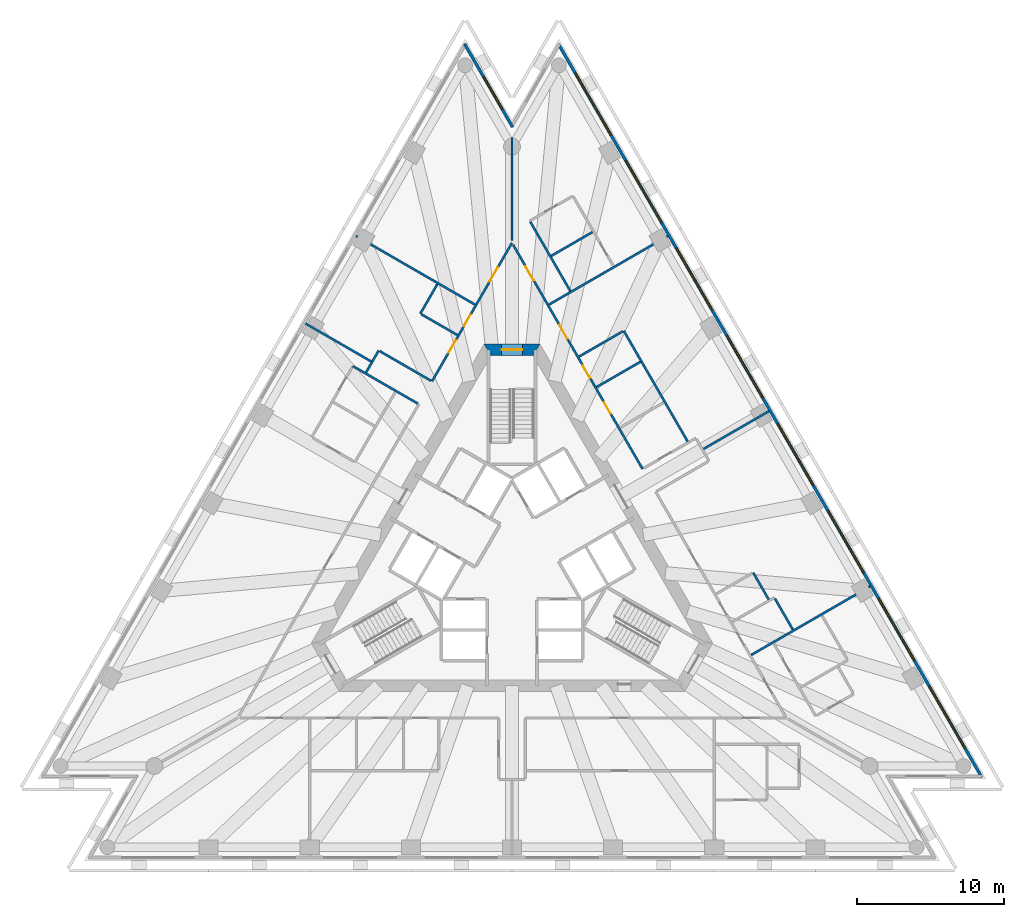
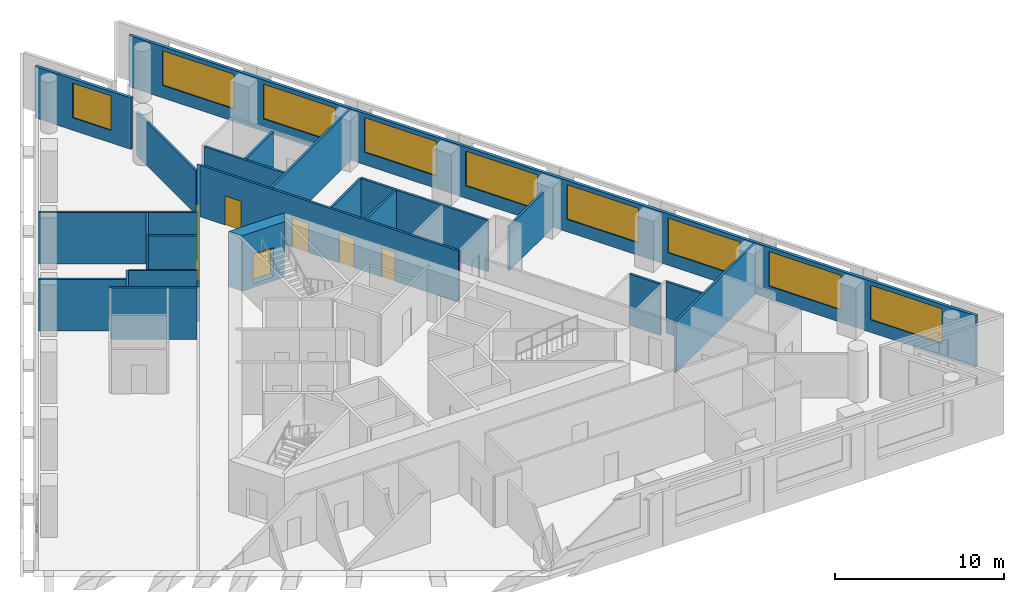
# One storey, part 6 of 10: 23 walls, 9 windows, 8 doors, 17 openings.
"""IFC4 building model written with IfcOpenShell, lengths in metres."""

from ifc_helpers import new_model, si_unit, direction, frame, frame_2d, origin, place, context, subcontext, project, spatial, polyline, rectangle, outline, extrude, material, layer, layer_set, layer_usage, type_object, element, fill, save


model = new_model("IFC4")

# Units and contexts
model_context = context("Model", 3, precision=1e-05, world=origin(), true_north=direction((0.0, 1.0)))
body_context = subcontext(model_context, "Body", "Model", "MODEL_VIEW")
ifc_project = project(units=[si_unit("LENGTHUNIT", "METRE"), si_unit("AREAUNIT", "SQUARE_METRE"), si_unit("VOLUMEUNIT", "CUBIC_METRE"), si_unit("PLANEANGLEUNIT", "RADIAN"), si_unit("MASSUNIT", "GRAM", prefix="KILO")], contexts=[model_context])

# Site, building, storey
site_placement = place(None, origin())
site = spatial("IfcSite", under=ifc_project, at=site_placement, CompositionType="ELEMENT")
building_placement = place(site_placement, origin())
building = spatial("IfcBuilding", under=site, at=building_placement, Name="Triada Interchange Tower", CompositionType="ELEMENT")
storey_placement = place(building_placement, frame((0.0, 0.0, 120.300048828125)))
storey = spatial("IfcBuildingStorey", under=building, at=storey_placement, Name="L27", CompositionType="ELEMENT", Elevation=120.300048828125)

# Wall, opening, door
ifc_material_1 = material(Name="Concrete C60/75", Category="concrete")
ifc_layer_1 = layer(ifc_material_1, 0.800048828125)
ifc_layer_set_1 = layer_set([ifc_layer_1], Name="Core wall B 800")
wall_type_1 = type_object("IfcWallType", Name="Core wall B 800", PredefinedType="SHEAR", material=ifc_layer_set_1)
wall_1_placement = place(storey_placement, frame((1.674072265625, 14.300048828125, -0.300048828125), z_axis=(0.0, 0.0, 1.0), x_axis=(-1.0, 0.0, 0.0)))
wall_1 = element("IfcWall", 1, at=wall_1_placement, inside=storey, type_object=wall_type_1, Name="Core wall WB01 L27", PredefinedType="SHEAR", context=body_context, shape_type="SweptSolid", body=[
    extrude(outline(polyline([(-0.23095703125, -0.39990234375), (1.674072265625, -0.39990234375), (3.5791015625, -0.39990234375), (3.116943359375, 0.39990234375), (1.673828125, 0.39990234375), (0.23095703125, 0.39990234375), (-0.23095703125, -0.39990234375)])), origin(), (0.0, 0.0, 1.0), 4.0),
])
opening_1_placement = place(wall_1_placement, frame((0.97412109375, 0.0, 0.300048828125)))
opening_1 = element("IfcOpeningElement", 2, at=opening_1_placement, cuts=wall_1, Name="Opening D26-41", PredefinedType="OPENING", context=body_context, shape_type="SweptSolid", body=[
    extrude(rectangle(XDim=1.39990234375, YDim=2.10009765625, at=frame_2d((0.699951171875, 1.050048828125))), frame((0.0, 0.409912109375, 0.0), z_axis=(0.0, -1.0, 0.0), x_axis=(1.0, 0.0, 0.0)), (0.0, 0.0, 1.0), 0.820068359375),
])
ifc_material_2 = material(Name="Steel S235 door leaf", Category="steel")
door_type_1 = type_object("IfcDoorType", Name="STAIR DOOR 1400 EI2 90-C5S200", OperationType="DOUBLE_DOOR_SINGLE_SWING", PredefinedType="DOOR", material=ifc_material_2)
door_1_placement = place(opening_1_placement, origin())
door_1 = element("IfcDoor", 3, at=door_1_placement, inside=storey, type_object=door_type_1, Name="Door D26-41 L27", OperationType="DOUBLE_DOOR_SINGLE_SWING", OverallHeight=2.10009765625, OverallWidth=1.39990234375, PredefinedType="DOOR", context=body_context, shape_type="SweptSolid", body=[
    extrude(rectangle(XDim=1.39990234375, YDim=2.10009765625, at=frame_2d((0.699951171875, 1.050048828125))), frame((0.0, 0.02490234375, 0.0), z_axis=(0.0, -1.0, 0.0), x_axis=(1.0, 0.0, 0.0)), (0.0, 0.0, 1.0), 0.050048828125),
])
fill(opening_1, door_1)

# Wall, openings, windows
ifc_material_3 = material(Name="Cement board")
ifc_layer_2 = layer(ifc_material_3, 0.02001953125, Name="Cement board cladding")
ifc_material_4 = material(Name="Sheathing board")
ifc_layer_3 = layer(ifc_material_4, 0.014892578125, Name="Sheathing board")
ifc_material_5 = material(Name="Mineral wool")
ifc_layer_4 = layer(ifc_material_5, 0.14990234375, Name="Mineral wool between steel studs")
ifc_material_6 = material(Name="Gypsum board")
ifc_layer_5 = layer(ifc_material_6, 0.014892578125, Name="Plasterboard lining")
ifc_layer_set_2 = layer_set([ifc_layer_2, ifc_layer_3, ifc_layer_4, ifc_layer_5], Name="External wall 200")
ifc_layer_usage = layer_usage(ifc_layer_set_2, "AXIS2", "POSITIVE", -0.10009765625)
wall_type_2 = type_object("IfcWallType", Name="External wall 200", PredefinedType="ELEMENTEDWALL", material=ifc_layer_set_2)
wall_2_placement = place(storey_placement, frame((32.048095703125, -14.861083984375, 0.0), z_axis=(0.0, 0.0, 1.0), x_axis=(-0.499996704161, 0.866027306629, 0.0)))
wall_2 = element("IfcWall", 4, at=wall_2_placement, inside=storey, type_object=wall_type_2, material=ifc_layer_usage, Name="External wall L27 NE", PredefinedType="ELEMENTEDWALL", context=body_context, shape_type="SweptSolid", body=[
    extrude(rectangle(XDim=57.7685546875, YDim=0.199951171875, at=frame_2d((28.88427734375, 0.0))), origin(), (0.0, 0.0, 1.0), 3.699951171875),
])
opening_2_placement = place(wall_2_placement, frame((2.302001953125, 0.0, 0.89990234375)))
opening_2 = element("IfcOpeningElement", 5, at=opening_2_placement, cuts=wall_2, Name="Opening WB21", PredefinedType="OPENING", context=body_context, shape_type="SweptSolid", body=[
    extrude(rectangle(XDim=4.89990234375, YDim=2.5, at=frame_2d((2.449951171875, 1.25))), frame((0.0, 0.10986328125, 0.0), z_axis=(0.0, -1.0, 0.0), x_axis=(1.0, 0.0, 0.0)), (0.0, 0.0, 1.0), 0.219970703125),
])
opening_3_placement = place(wall_2_placement, frame((9.198974609375, 0.0, 0.89990234375)))
opening_3 = element("IfcOpeningElement", 6, at=opening_3_placement, cuts=wall_2, Name="Opening WB22", PredefinedType="OPENING", context=body_context, shape_type="SweptSolid", body=[
    extrude(rectangle(XDim=4.89990234375, YDim=2.5, at=frame_2d((2.449951171875, 1.25))), frame((0.0, 0.10986328125, 0.0), z_axis=(0.0, -1.0, 0.0), x_axis=(1.0, 0.0, 0.0)), (0.0, 0.0, 1.0), 0.219970703125),
])
opening_4_placement = place(wall_2_placement, frame((16.096923828125, 0.0, 0.89990234375)))
opening_4 = element("IfcOpeningElement", 7, at=opening_4_placement, cuts=wall_2, Name="Opening WB23", PredefinedType="OPENING", context=body_context, shape_type="SweptSolid", body=[
    extrude(rectangle(XDim=4.89990234375, YDim=2.5, at=frame_2d((2.449951171875, 1.25))), frame((0.0, 0.10986328125, 0.0), z_axis=(0.0, -1.0, 0.0), x_axis=(1.0, 0.0, 0.0)), (0.0, 0.0, 1.0), 0.219970703125),
])
opening_5_placement = place(wall_2_placement, frame((22.9951171875, 0.0, 0.89990234375)))
opening_5 = element("IfcOpeningElement", 8, at=opening_5_placement, cuts=wall_2, Name="Opening WB24", PredefinedType="OPENING", context=body_context, shape_type="SweptSolid", body=[
    extrude(rectangle(XDim=4.89990234375, YDim=2.5, at=frame_2d((2.449951171875, 1.25))), frame((0.0, 0.10986328125, 0.0), z_axis=(0.0, -1.0, 0.0), x_axis=(1.0, 0.0, 0.0)), (0.0, 0.0, 1.0), 0.219970703125),
])
opening_6_placement = place(wall_2_placement, frame((29.89306640625, 0.0, 0.89990234375)))
opening_6 = element("IfcOpeningElement", 9, at=opening_6_placement, cuts=wall_2, Name="Opening WB25", PredefinedType="OPENING", context=body_context, shape_type="SweptSolid", body=[
    extrude(rectangle(XDim=4.89990234375, YDim=2.5, at=frame_2d((2.449951171875, 1.25))), frame((0.0, 0.10986328125, 0.0), z_axis=(0.0, -1.0, 0.0), x_axis=(1.0, 0.0, 0.0)), (0.0, 0.0, 1.0), 0.219970703125),
])
opening_7_placement = place(wall_2_placement, frame((36.791015625, 0.0, 0.89990234375)))
opening_7 = element("IfcOpeningElement", 10, at=opening_7_placement, cuts=wall_2, Name="Opening WB26", PredefinedType="OPENING", context=body_context, shape_type="SweptSolid", body=[
    extrude(rectangle(XDim=4.89990234375, YDim=2.5, at=frame_2d((2.449951171875, 1.25))), frame((0.0, 0.10986328125, 0.0), z_axis=(0.0, -1.0, 0.0), x_axis=(1.0, 0.0, 0.0)), (0.0, 0.0, 1.0), 0.219970703125),
])
opening_8_placement = place(wall_2_placement, frame((43.68896484375, 0.0, 0.89990234375)))
opening_8 = element("IfcOpeningElement", 11, at=opening_8_placement, cuts=wall_2, Name="Opening WB27", PredefinedType="OPENING", context=body_context, shape_type="SweptSolid", body=[
    extrude(rectangle(XDim=4.89990234375, YDim=2.5, at=frame_2d((2.449951171875, 1.25))), frame((0.0, 0.10986328125, 0.0), z_axis=(0.0, -1.0, 0.0), x_axis=(1.0, 0.0, 0.0)), (0.0, 0.0, 1.0), 0.219970703125),
])
opening_9_placement = place(wall_2_placement, frame((50.5869140625, 0.0, 0.89990234375)))
opening_9 = element("IfcOpeningElement", 12, at=opening_9_placement, cuts=wall_2, Name="Opening WB28", PredefinedType="OPENING", context=body_context, shape_type="SweptSolid", body=[
    extrude(rectangle(XDim=4.89990234375, YDim=2.5, at=frame_2d((2.449951171875, 1.25))), frame((0.0, 0.10986328125, 0.0), z_axis=(0.0, -1.0, 0.0), x_axis=(1.0, 0.0, 0.0)), (0.0, 0.0, 1.0), 0.219970703125),
])
ifc_material_7 = material(Name="Double glazed aluminium window", Category="aluminium")
window_type_1 = type_object("IfcWindowType", Name="Ribbon window B face", PartitioningType="SINGLE_PANEL", PredefinedType="WINDOW", material=ifc_material_7)
window_1_placement = place(opening_2_placement, origin())
window_1 = element("IfcWindow", 13, at=window_1_placement, inside=storey, type_object=window_type_1, Name="Window L27 NE 1", OverallHeight=2.5, OverallWidth=4.89990234375, PartitioningType="SINGLE_PANEL", PredefinedType="WINDOW", context=body_context, shape_type="SweptSolid", body=[
    extrude(rectangle(XDim=4.89990234375, YDim=2.5, at=frame_2d((2.449951171875, 1.25))), frame((0.0, 0.030029296875, 0.0), z_axis=(0.0, -1.0, 0.0), x_axis=(1.0, 0.0, 0.0)), (0.0, 0.0, 1.0), 0.06005859375),
])
fill(opening_2, window_1)
window_2_placement = place(opening_3_placement, origin())
window_2 = element("IfcWindow", 14, at=window_2_placement, inside=storey, type_object=window_type_1, Name="Window L27 NE 2", OverallHeight=2.5, OverallWidth=4.89990234375, PartitioningType="SINGLE_PANEL", PredefinedType="WINDOW", context=body_context, shape_type="SweptSolid", body=[
    extrude(rectangle(XDim=4.89990234375, YDim=2.5, at=frame_2d((2.449951171875, 1.25))), frame((0.0, 0.030029296875, 0.0), z_axis=(0.0, -1.0, 0.0), x_axis=(1.0, 0.0, 0.0)), (0.0, 0.0, 1.0), 0.06005859375),
])
fill(opening_3, window_2)
window_3_placement = place(opening_4_placement, origin())
window_3 = element("IfcWindow", 15, at=window_3_placement, inside=storey, type_object=window_type_1, Name="Window L27 NE 3", OverallHeight=2.5, OverallWidth=4.89990234375, PartitioningType="SINGLE_PANEL", PredefinedType="WINDOW", context=body_context, shape_type="SweptSolid", body=[
    extrude(rectangle(XDim=4.89990234375, YDim=2.5, at=frame_2d((2.449951171875, 1.25))), frame((0.0, 0.030029296875, 0.0), z_axis=(0.0, -1.0, 0.0), x_axis=(1.0, 0.0, 0.0)), (0.0, 0.0, 1.0), 0.06005859375),
])
fill(opening_4, window_3)
window_4_placement = place(opening_5_placement, origin())
window_4 = element("IfcWindow", 16, at=window_4_placement, inside=storey, type_object=window_type_1, Name="Window L27 NE 4", OverallHeight=2.5, OverallWidth=4.89990234375, PartitioningType="SINGLE_PANEL", PredefinedType="WINDOW", context=body_context, shape_type="SweptSolid", body=[
    extrude(rectangle(XDim=4.89990234375, YDim=2.5, at=frame_2d((2.449951171875, 1.25))), frame((0.0, 0.030029296875, 0.0), z_axis=(0.0, -1.0, 0.0), x_axis=(1.0, 0.0, 0.0)), (0.0, 0.0, 1.0), 0.06005859375),
])
fill(opening_5, window_4)
window_5_placement = place(opening_6_placement, origin())
window_5 = element("IfcWindow", 17, at=window_5_placement, inside=storey, type_object=window_type_1, Name="Window L27 NE 5", OverallHeight=2.5, OverallWidth=4.89990234375, PartitioningType="SINGLE_PANEL", PredefinedType="WINDOW", context=body_context, shape_type="SweptSolid", body=[
    extrude(rectangle(XDim=4.89990234375, YDim=2.5, at=frame_2d((2.449951171875, 1.25))), frame((0.0, 0.030029296875, 0.0), z_axis=(0.0, -1.0, 0.0), x_axis=(1.0, 0.0, 0.0)), (0.0, 0.0, 1.0), 0.06005859375),
])
fill(opening_6, window_5)
window_6_placement = place(opening_7_placement, origin())
window_6 = element("IfcWindow", 18, at=window_6_placement, inside=storey, type_object=window_type_1, Name="Window L27 NE 6", OverallHeight=2.5, OverallWidth=4.89990234375, PartitioningType="SINGLE_PANEL", PredefinedType="WINDOW", context=body_context, shape_type="SweptSolid", body=[
    extrude(rectangle(XDim=4.89990234375, YDim=2.5, at=frame_2d((2.449951171875, 1.25))), frame((0.0, 0.030029296875, 0.0), z_axis=(0.0, -1.0, 0.0), x_axis=(1.0, 0.0, 0.0)), (0.0, 0.0, 1.0), 0.06005859375),
])
fill(opening_7, window_6)
window_7_placement = place(opening_8_placement, origin())
window_7 = element("IfcWindow", 19, at=window_7_placement, inside=storey, type_object=window_type_1, Name="Window L27 NE 7", OverallHeight=2.5, OverallWidth=4.89990234375, PartitioningType="SINGLE_PANEL", PredefinedType="WINDOW", context=body_context, shape_type="SweptSolid", body=[
    extrude(rectangle(XDim=4.89990234375, YDim=2.5, at=frame_2d((2.449951171875, 1.25))), frame((0.0, 0.030029296875, 0.0), z_axis=(0.0, -1.0, 0.0), x_axis=(1.0, 0.0, 0.0)), (0.0, 0.0, 1.0), 0.06005859375),
])
fill(opening_8, window_7)
window_8_placement = place(opening_9_placement, origin())
window_8 = element("IfcWindow", 20, at=window_8_placement, inside=storey, type_object=window_type_1, Name="Window L27 NE 8", OverallHeight=2.5, OverallWidth=4.89990234375, PartitioningType="SINGLE_PANEL", PredefinedType="WINDOW", context=body_context, shape_type="SweptSolid", body=[
    extrude(rectangle(XDim=4.89990234375, YDim=2.5, at=frame_2d((2.449951171875, 1.25))), frame((0.0, 0.030029296875, 0.0), z_axis=(0.0, -1.0, 0.0), x_axis=(1.0, 0.0, 0.0)), (0.0, 0.0, 1.0), 0.06005859375),
])
fill(opening_9, window_8)

# Wall, opening, window
wall_3_placement = place(storey_placement, frame((0.044921875, 29.487060546875, 0.0), z_axis=(0.0, 0.0, 1.0), x_axis=(-0.499878187048, 0.866095721103, 0.0)))
wall_3 = element("IfcWall", 21, at=wall_3_placement, inside=storey, type_object=wall_type_2, material=ifc_layer_usage, Name="External wall L27 N-2", PredefinedType="ELEMENTEDWALL", context=body_context, shape_type="SweptSolid", body=[
    extrude(rectangle(XDim=6.559326171875, YDim=0.199951171875, at=frame_2d((3.27978515625, 0.0))), origin(), (0.0, 0.0, 1.0), 3.699951171875),
])
opening_10_placement = place(wall_3_placement, frame((1.389892578125, 0.0, 0.89990234375)))
opening_10 = element("IfcOpeningElement", 22, at=opening_10_placement, cuts=wall_3, Name="Opening WB30", PredefinedType="OPENING", context=body_context, shape_type="SweptSolid", body=[
    extrude(rectangle(XDim=2.60009765625, YDim=2.5, at=frame_2d((1.300048828125, 1.25))), frame((0.0, 0.10986328125, 0.0), z_axis=(0.0, -1.0, 0.0), x_axis=(1.0, 0.0, 0.0)), (0.0, 0.0, 1.0), 0.219970703125),
])
window_type_2 = type_object("IfcWindowType", Name="Ribbon window B pocket", PartitioningType="SINGLE_PANEL", PredefinedType="WINDOW", material=ifc_material_7)
window_9_placement = place(opening_10_placement, origin())
window_9 = element("IfcWindow", 23, at=window_9_placement, inside=storey, type_object=window_type_2, Name="Window L27 N-2 1", OverallHeight=2.5, OverallWidth=2.60009765625, PartitioningType="SINGLE_PANEL", PredefinedType="WINDOW", context=body_context, shape_type="SweptSolid", body=[
    extrude(rectangle(XDim=2.60009765625, YDim=2.5, at=frame_2d((1.300048828125, 1.25))), frame((0.0, 0.030029296875, 0.0), z_axis=(0.0, -1.0, 0.0), x_axis=(1.0, 0.0, 0.0)), (0.0, 0.0, 1.0), 0.06005859375),
])
fill(opening_10, window_9)

# Wall
ifc_material_8 = material(Name="Gypsum board partition")
ifc_layer_6 = layer(ifc_material_8, 0.14990234375)
ifc_layer_set_3 = layer_set([ifc_layer_6], Name="PARTITION 150 EI 180")
wall_type_3 = type_object("IfcWallType", Name="PARTITION 150 EI 180", PredefinedType="PARTITIONING", material=ifc_layer_set_3)
wall_4_placement = place(storey_placement, frame((13.054931640625, 7.5380859375, 0.0), z_axis=(0.0, 0.0, 1.0), x_axis=(0.866048717436, 0.499959617396, 0.0)))
element("IfcWall", 24, at=wall_4_placement, inside=storey, type_object=wall_type_3, Name="Wall L26 2", PredefinedType="PARTITIONING", context=body_context, shape_type="SweptSolid", body=[
    extrude(rectangle(XDim=5.16845703125, YDim=0.14990234375, at=frame_2d((2.584228515625, 0.0))), origin(), (0.0, 0.0, 1.0), 3.199951171875),
])

# Wall, openings, doors
wall_5_placement = place(storey_placement, frame((-5.4541015625, 12.154052734375, 0.0), z_axis=(0.0, 0.0, 1.0), x_axis=(0.500029221456, 0.866008532111, 0.0)))
wall_5 = element("IfcWall", 25, at=wall_5_placement, inside=storey, type_object=wall_type_3, Name="Wall L26 6", PredefinedType="PARTITIONING", context=body_context, shape_type="SweptSolid", body=[
    extrude(rectangle(XDim=10.907470703125, YDim=0.14990234375, at=frame_2d((5.45361328125, 0.0))), origin(), (0.0, 0.0, 1.0), 3.699951171875),
])
opening_11_placement = place(wall_5_placement, frame((7.85693359375, 0.0, 0.0)))
opening_11 = element("IfcOpeningElement", 26, at=opening_11_placement, cuts=wall_5, Name="Opening D26-34", PredefinedType="OPENING", context=body_context, shape_type="SweptSolid", body=[
    extrude(rectangle(XDim=1.10009765625, YDim=2.10009765625, at=frame_2d((0.550048828125, 1.050048828125))), frame((0.0, 0.0849609375, 0.0), z_axis=(0.0, -1.0, 0.0), x_axis=(1.0, 0.0, 0.0)), (0.0, 0.0, 1.0), 0.169921875),
])
opening_12_placement = place(wall_5_placement, frame((2.248046875, 0.0, 0.0)))
opening_12 = element("IfcOpeningElement", 27, at=opening_12_placement, cuts=wall_5, Name="Opening D26-35", PredefinedType="OPENING", context=body_context, shape_type="SweptSolid", body=[
    extrude(rectangle(XDim=1.0, YDim=2.10009765625, at=frame_2d((0.5, 1.050048828125))), frame((0.0, 0.0849609375, 0.0), z_axis=(0.0, -1.0, 0.0), x_axis=(1.0, 0.0, 0.0)), (0.0, 0.0, 1.0), 0.169921875),
])
opening_13_placement = place(wall_5_placement, frame((4.347900390625, 0.0, 0.0)))
opening_13 = element("IfcOpeningElement", 28, at=opening_13_placement, cuts=wall_5, Name="Opening D26-36", PredefinedType="OPENING", context=body_context, shape_type="SweptSolid", body=[
    extrude(rectangle(XDim=0.89990234375, YDim=2.10009765625, at=frame_2d((0.449951171875, 1.050048828125))), frame((0.0, 0.0849609375, 0.0), z_axis=(0.0, -1.0, 0.0), x_axis=(1.0, 0.0, 0.0)), (0.0, 0.0, 1.0), 0.169921875),
])
door_type_2 = type_object("IfcDoorType", Name="ROOM DOOR 1000 EI2 90-C5S200", OperationType="NOTDEFINED", PredefinedType="DOOR", material=ifc_material_2)
door_2_placement = place(opening_12_placement, origin())
door_2 = element("IfcDoor", 29, at=door_2_placement, inside=storey, type_object=door_type_2, Name="Door D26-35 L27", OperationType="SINGLE_SWING_LEFT", OverallHeight=2.10009765625, OverallWidth=1.0, PredefinedType="DOOR", context=body_context, shape_type="SweptSolid", body=[
    extrude(rectangle(XDim=1.0, YDim=2.10009765625, at=frame_2d((0.5, 1.050048828125))), frame((0.0, 0.02490234375, 0.0), z_axis=(0.0, -1.0, 0.0), x_axis=(1.0, 0.0, 0.0)), (0.0, 0.0, 1.0), 0.050048828125),
])
fill(opening_12, door_2)
door_type_3 = type_object("IfcDoorType", Name="SERVICE DOOR 900 EI2 90-C5S200", OperationType="NOTDEFINED", PredefinedType="DOOR", material=ifc_material_2)
door_3_placement = place(opening_13_placement, origin())
door_3 = element("IfcDoor", 30, at=door_3_placement, inside=storey, type_object=door_type_3, Name="Door D26-36 L27", OperationType="SINGLE_SWING_LEFT", OverallHeight=2.10009765625, OverallWidth=0.89990234375, PredefinedType="DOOR", context=body_context, shape_type="SweptSolid", body=[
    extrude(rectangle(XDim=0.89990234375, YDim=2.10009765625, at=frame_2d((0.449951171875, 1.050048828125))), frame((0.0, 0.02490234375, 0.0), z_axis=(0.0, -1.0, 0.0), x_axis=(1.0, 0.0, 0.0)), (0.0, 0.0, 1.0), 0.050048828125),
])
fill(opening_13, door_3)
door_type_4 = type_object("IfcDoorType", Name="TENANCY ENTRANCE DOOR 1100 EI2 90-C5S200", OperationType="NOTDEFINED", PredefinedType="DOOR", material=ifc_material_2)
door_4_placement = place(opening_11_placement, origin())
door_4 = element("IfcDoor", 31, at=door_4_placement, inside=storey, type_object=door_type_4, Name="Door D26-34 L27", OperationType="SINGLE_SWING_RIGHT", OverallHeight=2.10009765625, OverallWidth=1.10009765625, PredefinedType="DOOR", context=body_context, shape_type="SweptSolid", body=[
    extrude(rectangle(XDim=1.10009765625, YDim=2.10009765625, at=frame_2d((0.550048828125, 1.050048828125))), frame((0.0, 0.02490234375, 0.0), z_axis=(0.0, -1.0, 0.0), x_axis=(1.0, 0.0, 0.0)), (0.0, 0.0, 1.0), 0.050048828125),
])
fill(opening_11, door_4)

# Walls
wall_6_placement = place(storey_placement, frame((-10.85693359375, 13.194091796875, 0.0), z_axis=(0.0, 0.0, 1.0), x_axis=(0.865999895656, -0.500044178772, 0.0)))
element("IfcWall", 32, at=wall_6_placement, inside=storey, type_object=wall_type_3, Name="Wall L26 7", PredefinedType="PARTITIONING", context=body_context, shape_type="SweptSolid", body=[
    extrude(rectangle(XDim=5.12353515625, YDim=0.14990234375, at=frame_2d((2.561767578125, 0.0))), origin(), (0.0, 0.0, 1.0), 3.699951171875),
])
wall_7_placement = place(storey_placement, frame((-9.9541015625, 12.759033203125, 0.0), z_axis=(0.0, 0.0, 1.0), x_axis=(0.500232802748, 0.865890953328, 0.0)))
element("IfcWall", 33, at=wall_7_placement, inside=storey, type_object=wall_type_3, Name="Wall L26 8", PredefinedType="PARTITIONING", context=body_context, shape_type="SweptSolid", body=[
    extrude(rectangle(XDim=1.725341796875, YDim=0.14990234375, at=frame_2d((0.86279296875, 0.0))), origin(), (0.0, 0.0, 1.0), 3.699951171875),
])
wall_8_placement = place(storey_placement, frame((-14.0830078125, 16.095947265625, 0.0), z_axis=(0.0, 0.0, 1.0), x_axis=(0.866014140959, -0.500019507279, 0.0)))
element("IfcWall", 34, at=wall_8_placement, inside=storey, type_object=wall_type_3, Name="Wall L26 9", PredefinedType="PARTITIONING", context=body_context, shape_type="SweptSolid", body=[
    extrude(rectangle(XDim=5.169677734375, YDim=0.14990234375, at=frame_2d((2.5849609375, 0.0))), origin(), (0.0, 0.0, 1.0), 3.699951171875),
])
wall_9_placement = place(storey_placement, frame((-10.634033203125, 22.070068359375, 0.0), z_axis=(0.0, 0.0, 1.0), x_axis=(0.866005502057, -0.500034469219, 0.0)))
element("IfcWall", 35, at=wall_9_placement, inside=storey, type_object=wall_type_3, Name="Wall L26 12", PredefinedType="PARTITIONING", context=body_context, shape_type="SweptSolid", body=[
    extrude(rectangle(XDim=9.369384765625, YDim=0.14990234375, at=frame_2d((4.6845703125, 0.0))), origin(), (0.0, 0.0, 1.0), 3.699951171875),
])
wall_10_placement = place(storey_placement, frame((-9.02587890625, 14.216064453125, 0.0), z_axis=(0.0, 0.0, 1.0), x_axis=(0.865914407792, -0.500192201437, 0.0)))
element("IfcWall", 36, at=wall_10_placement, inside=storey, type_object=wall_type_3, Name="Wall L26 14", PredefinedType="PARTITIONING", context=body_context, shape_type="SweptSolid", body=[
    extrude(rectangle(XDim=4.048828125, YDim=0.14990234375, at=frame_2d((2.0244140625, 0.0))), origin(), (0.0, 0.0, 1.0), 3.699951171875),
])
wall_11_placement = place(storey_placement, frame((-6.2529296875, 16.76904296875, 0.0), z_axis=(0.0, 0.0, 1.0), x_axis=(0.499719423372, 0.866187334186, 0.0)))
element("IfcWall", 37, at=wall_11_placement, inside=storey, type_object=wall_type_3, Name="Wall L26 17", PredefinedType="PARTITIONING", context=body_context, shape_type="SweptSolid", body=[
    extrude(rectangle(XDim=2.324951171875, YDim=0.14990234375, at=frame_2d((1.16259765625, 0.0))), origin(), (0.0, 0.0, 1.0), 3.699951171875),
])
wall_12_placement = place(storey_placement, frame((-6.18798828125, 16.73193359375, 0.0), z_axis=(0.0, 0.0, 1.0), x_axis=(0.866004402611, -0.500036373335, 0.0)))
element("IfcWall", 38, at=wall_12_placement, inside=storey, type_object=wall_type_3, Name="Wall L26 18", PredefinedType="PARTITIONING", context=body_context, shape_type="SweptSolid", body=[
    extrude(rectangle(XDim=2.849853515625, YDim=0.14990234375, at=frame_2d((1.4248046875, 0.0))), origin(), (0.0, 0.0, 1.0), 3.699951171875),
])
wall_13_placement = place(storey_placement, frame((0.0, 21.75, 0.0), z_axis=(0.0, 0.0, 1.0), x_axis=(0.0, 1.0, 0.0)))
element("IfcWall", 39, at=wall_13_placement, inside=storey, type_object=wall_type_3, Name="Wall L26 22", PredefinedType="PARTITIONING", context=body_context, shape_type="SweptSolid", body=[
    extrude(rectangle(XDim=7.034912109375, YDim=0.14990234375, at=frame_2d((3.517578125, 0.0))), origin(), (0.0, 0.0, 1.0), 3.14990234375),
])

# Wall, openings, doors
wall_14_placement = place(storey_placement, frame((0.075927734375, 21.468017578125, 0.0), z_axis=(0.0, 0.0, 1.0), x_axis=(0.500006592492, -0.866021597574, 0.0)))
wall_14 = element("IfcWall", 40, at=wall_14_placement, inside=storey, type_object=wall_type_3, Name="Wall L26 24", PredefinedType="PARTITIONING", context=body_context, shape_type="SweptSolid", body=[
    extrude(rectangle(XDim=17.652099609375, YDim=0.14990234375, at=frame_2d((8.826171875, 0.0))), origin(), (0.0, 0.0, 1.0), 3.699951171875),
])
opening_14_placement = place(wall_14_placement, frame((6.302978515625, 0.0, 0.0)))
opening_14 = element("IfcOpeningElement", 41, at=opening_14_placement, cuts=wall_14, Name="Opening D26-27", PredefinedType="OPENING", context=body_context, shape_type="SweptSolid", body=[
    extrude(rectangle(XDim=1.10009765625, YDim=2.10009765625, at=frame_2d((0.550048828125, 1.050048828125))), frame((0.0, 0.0849609375, 0.0), z_axis=(0.0, -1.0, 0.0), x_axis=(1.0, 0.0, 0.0)), (0.0, 0.0, 1.0), 0.169921875),
])
opening_15_placement = place(wall_14_placement, frame((12.403076171875, 0.0, 0.0)))
opening_15 = element("IfcOpeningElement", 42, at=opening_15_placement, cuts=wall_14, Name="Opening D26-29", PredefinedType="OPENING", context=body_context, shape_type="SweptSolid", body=[
    extrude(rectangle(XDim=0.89990234375, YDim=2.10009765625, at=frame_2d((0.449951171875, 1.050048828125))), frame((0.0, 0.0849609375, 0.0), z_axis=(0.0, -1.0, 0.0), x_axis=(1.0, 0.0, 0.0)), (0.0, 0.0, 1.0), 0.169921875),
])
opening_16_placement = place(wall_14_placement, frame((9.5029296875, 0.0, 0.0)))
opening_16 = element("IfcOpeningElement", 43, at=opening_16_placement, cuts=wall_14, Name="Opening D26-30", PredefinedType="OPENING", context=body_context, shape_type="SweptSolid", body=[
    extrude(rectangle(XDim=1.0, YDim=2.10009765625, at=frame_2d((0.5, 1.050048828125))), frame((0.0, 0.0849609375, 0.0), z_axis=(0.0, -1.0, 0.0), x_axis=(1.0, 0.0, 0.0)), (0.0, 0.0, 1.0), 0.169921875),
])
opening_17_placement = place(wall_14_placement, frame((1.7080078125, 0.0, 0.0)))
opening_17 = element("IfcOpeningElement", 44, at=opening_17_placement, cuts=wall_14, Name="Opening D26-31", PredefinedType="OPENING", context=body_context, shape_type="SweptSolid", body=[
    extrude(rectangle(XDim=1.10009765625, YDim=2.10009765625, at=frame_2d((0.550048828125, 1.050048828125))), frame((0.0, 0.0849609375, 0.0), z_axis=(0.0, -1.0, 0.0), x_axis=(1.0, 0.0, 0.0)), (0.0, 0.0, 1.0), 0.169921875),
])
door_5_placement = place(opening_16_placement, origin())
door_5 = element("IfcDoor", 45, at=door_5_placement, inside=storey, type_object=door_type_2, Name="Door D26-30 L27", OperationType="SINGLE_SWING_RIGHT", OverallHeight=2.10009765625, OverallWidth=1.0, PredefinedType="DOOR", context=body_context, shape_type="SweptSolid", body=[
    extrude(rectangle(XDim=1.0, YDim=2.10009765625, at=frame_2d((0.5, 1.050048828125))), frame((0.0, 0.02490234375, 0.0), z_axis=(0.0, -1.0, 0.0), x_axis=(1.0, 0.0, 0.0)), (0.0, 0.0, 1.0), 0.050048828125),
])
fill(opening_16, door_5)
door_type_5 = type_object("IfcDoorType", Name="ROOM DOOR 900 EI2 90-C5S200", OperationType="NOTDEFINED", PredefinedType="DOOR", material=ifc_material_2)
door_6_placement = place(opening_15_placement, origin())
door_6 = element("IfcDoor", 46, at=door_6_placement, inside=storey, type_object=door_type_5, Name="Door D26-29 L27", OperationType="SINGLE_SWING_LEFT", OverallHeight=2.10009765625, OverallWidth=0.89990234375, PredefinedType="DOOR", context=body_context, shape_type="SweptSolid", body=[
    extrude(rectangle(XDim=0.89990234375, YDim=2.10009765625, at=frame_2d((0.449951171875, 1.050048828125))), frame((0.0, 0.02490234375, 0.0), z_axis=(0.0, -1.0, 0.0), x_axis=(1.0, 0.0, 0.0)), (0.0, 0.0, 1.0), 0.050048828125),
])
fill(opening_15, door_6)
door_7_placement = place(opening_14_placement, origin())
door_7 = element("IfcDoor", 47, at=door_7_placement, inside=storey, type_object=door_type_4, Name="Door D26-27 L27", OperationType="SINGLE_SWING_LEFT", OverallHeight=2.10009765625, OverallWidth=1.10009765625, PredefinedType="DOOR", context=body_context, shape_type="SweptSolid", body=[
    extrude(rectangle(XDim=1.10009765625, YDim=2.10009765625, at=frame_2d((0.550048828125, 1.050048828125))), frame((0.0, 0.02490234375, 0.0), z_axis=(0.0, -1.0, 0.0), x_axis=(1.0, 0.0, 0.0)), (0.0, 0.0, 1.0), 0.050048828125),
])
fill(opening_14, door_7)
door_8_placement = place(opening_17_placement, origin())
door_8 = element("IfcDoor", 48, at=door_8_placement, inside=storey, type_object=door_type_4, Name="Door D26-31 L27", OperationType="SINGLE_SWING_LEFT", OverallHeight=2.10009765625, OverallWidth=1.10009765625, PredefinedType="DOOR", context=body_context, shape_type="SweptSolid", body=[
    extrude(rectangle(XDim=1.10009765625, YDim=2.10009765625, at=frame_2d((0.550048828125, 1.050048828125))), frame((0.0, 0.02490234375, 0.0), z_axis=(0.0, -1.0, 0.0), x_axis=(1.0, 0.0, 0.0)), (0.0, 0.0, 1.0), 0.050048828125),
])
fill(opening_17, door_8)

# Walls
wall_15_placement = place(storey_placement, frame((2.52001953125, 17.385009765625, 0.0), z_axis=(0.0, 0.0, 1.0), x_axis=(0.866005502057, 0.500034469219, 0.0)))
element("IfcWall", 49, at=wall_15_placement, inside=storey, type_object=wall_type_3, Name="Wall L26 26", PredefinedType="PARTITIONING", context=body_context, shape_type="SweptSolid", body=[
    extrude(rectangle(XDim=9.369384765625, YDim=0.14990234375, at=frame_2d((4.6845703125, 0.0))), origin(), (0.0, 0.0, 1.0), 3.699951171875),
])
wall_16_placement = place(storey_placement, frame((7.62109375, 15.60107421875, 0.0), z_axis=(0.0, 0.0, 1.0), x_axis=(0.499937230245, -0.866061640887, 0.0)))
element("IfcWall", 50, at=wall_16_placement, inside=storey, type_object=wall_type_3, Name="Wall L26 27", PredefinedType="PARTITIONING", context=body_context, shape_type="SweptSolid", body=[
    extrude(rectangle(XDim=8.724609375, YDim=0.14990234375, at=frame_2d((4.3623046875, 0.0))), origin(), (0.0, 0.0, 1.0), 3.699951171875),
])
wall_17_placement = place(storey_placement, frame((4.568115234375, 13.837890625, 0.0), z_axis=(0.0, 0.0, 1.0), x_axis=(0.866013532718, 0.500020560727, 0.0)))
element("IfcWall", 51, at=wall_17_placement, inside=storey, type_object=wall_type_3, Name="Wall L26 28", PredefinedType="PARTITIONING", context=body_context, shape_type="SweptSolid", body=[
    extrude(rectangle(XDim=3.449951171875, YDim=0.14990234375, at=frame_2d((1.72509765625, 0.0))), origin(), (0.0, 0.0, 1.0), 3.699951171875),
])
wall_18_placement = place(storey_placement, frame((5.76806640625, 11.760009765625, 0.0), z_axis=(0.0, 0.0, 1.0), x_axis=(0.866031223622, 0.49998991961, 0.0)))
element("IfcWall", 52, at=wall_18_placement, inside=storey, type_object=wall_type_3, Name="Wall L26 29", PredefinedType="PARTITIONING", context=body_context, shape_type="SweptSolid", body=[
    extrude(rectangle(XDim=3.4501953125, YDim=0.14990234375, at=frame_2d((1.72509765625, 0.0))), origin(), (0.0, 0.0, 1.0), 3.699951171875),
])
wall_19_placement = place(storey_placement, frame((16.448974609375, -0.89111328125, 0.0), z_axis=(0.0, 0.0, 1.0), x_axis=(0.500266112279, -0.865871709265, 0.0)))
element("IfcWall", 53, at=wall_19_placement, inside=storey, type_object=wall_type_3, Name="Wall L26 35", PredefinedType="PARTITIONING", context=body_context, shape_type="SweptSolid", body=[
    extrude(rectangle(XDim=2.124755859375, YDim=0.14990234375, at=frame_2d((1.0625, 0.0))), origin(), (0.0, 0.0, 1.0), 3.699951171875),
])
wall_20_placement = place(storey_placement, frame((16.31591796875, -6.510009765625, 0.0), z_axis=(0.0, 0.0, 1.0), x_axis=(0.866024577697, 0.500001430823, 0.0)))
element("IfcWall", 54, at=wall_20_placement, inside=storey, type_object=wall_type_3, Name="Wall L26 38", PredefinedType="PARTITIONING", context=body_context, shape_type="SweptSolid", body=[
    extrude(rectangle(XDim=9.3681640625, YDim=0.14990234375, at=frame_2d((4.68408203125, 0.0))), origin(), (0.0, 0.0, 1.0), 3.699951171875),
])
wall_21_placement = place(storey_placement, frame((17.93310546875, -2.660888671875, 0.0), z_axis=(0.0, 0.0, 1.0), x_axis=(0.499900713578, -0.866082719239, 0.0)))
element("IfcWall", 55, at=wall_21_placement, inside=storey, type_object=wall_type_3, Name="Wall L26 39", PredefinedType="PARTITIONING", context=body_context, shape_type="SweptSolid", body=[
    extrude(rectangle(XDim=2.4501953125, YDim=0.14990234375, at=frame_2d((1.22509765625, 0.0))), origin(), (0.0, 0.0, 1.0), 3.699951171875),
])
ifc_layer_7 = layer(ifc_material_8, 0.14990234375)
ifc_layer_set_4 = layer_set([ifc_layer_7], Name="PARTITION 150 EI 90")
wall_type_4 = type_object("IfcWallType", Name="PARTITION 150 EI 90", PredefinedType="PARTITIONING", material=ifc_layer_set_4)
wall_22_placement = place(storey_placement, frame((2.678955078125, 20.7099609375, 0.0), z_axis=(0.0, 0.0, 1.0), x_axis=(0.865977875238, 0.500082312822, 0.0)))
element("IfcWall", 56, at=wall_22_placement, inside=storey, type_object=wall_type_4, Name="Wall L26 46", PredefinedType="PARTITIONING", context=body_context, shape_type="SweptSolid", body=[
    extrude(rectangle(XDim=3.24951171875, YDim=0.14990234375, at=frame_2d((1.624755859375, 0.0))), origin(), (0.0, 0.0, 1.0), 3.699951171875),
])
wall_23_placement = place(storey_placement, frame((1.2509765625, 23.032958984375, 0.0), z_axis=(0.0, 0.0, 1.0), x_axis=(0.500002931134, -0.866023711487, 0.0)))
element("IfcWall", 57, at=wall_23_placement, inside=storey, type_object=wall_type_4, Name="Wall L26 49", PredefinedType="PARTITIONING", context=body_context, shape_type="SweptSolid", body=[
    extrude(rectangle(XDim=5.4501953125, YDim=0.14990234375, at=frame_2d((2.72509765625, 0.0))), origin(), (0.0, 0.0, 1.0), 3.699951171875),
])

save(model, "model.ifc")
